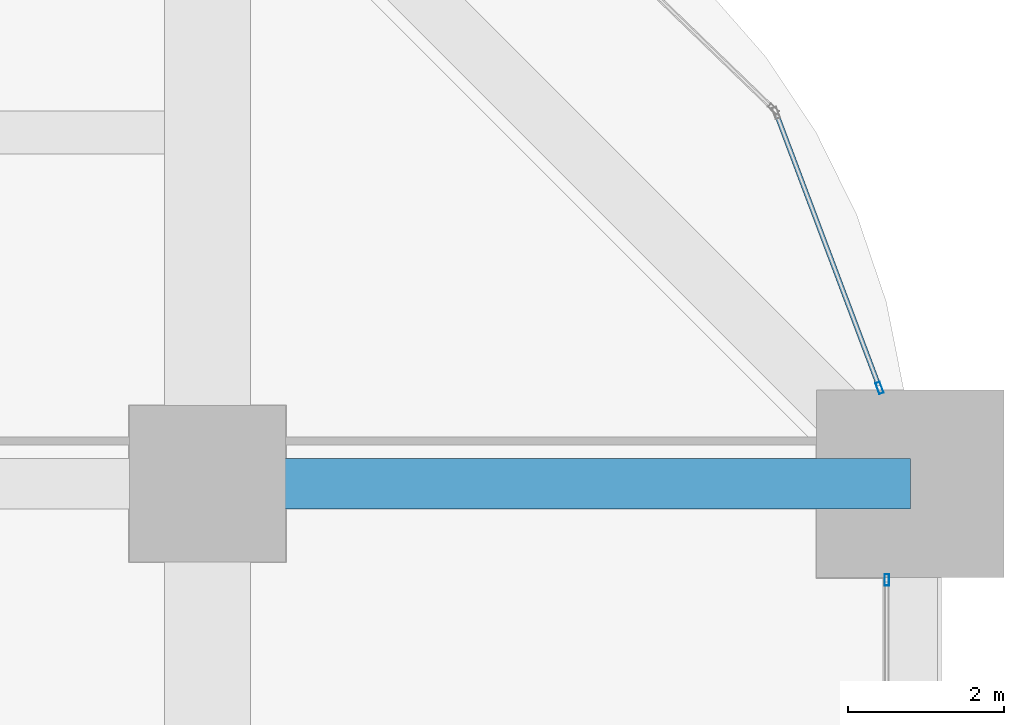
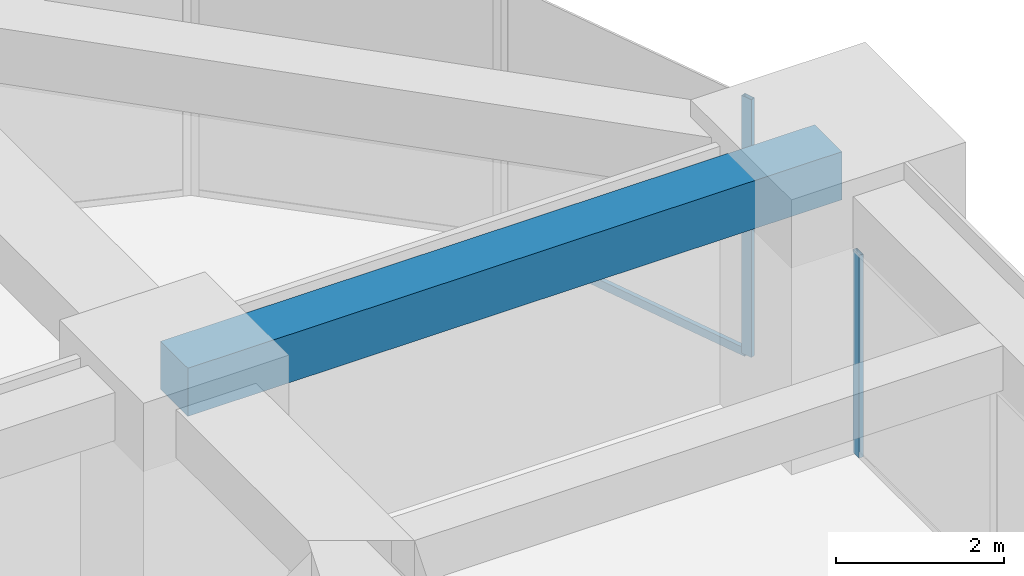
# One storey, part 32 of 39: 3 members, 1 beam, 2 elements without a shape of their own.
"""IFC4 building model written with IfcOpenShell, lengths in metres."""

from ifc_helpers import new_model, si_unit, direction, frame, origin, origin_2d, place, context, subcontext, project, spatial, rectangle, hollow_rectangle, extrude, material, material_profile, profile_set, type_object, element, aggregate, save


model = new_model("IFC4")

# Units and contexts
model_context = context("Model", 3, precision=1e-05, world=origin(), true_north=direction((0.0, 1.0)))
body_context = subcontext(model_context, "Body", "Model", "MODEL_VIEW")
ifc_project = project(units=[si_unit("LENGTHUNIT", "METRE"), si_unit("AREAUNIT", "SQUARE_METRE"), si_unit("VOLUMEUNIT", "CUBIC_METRE"), si_unit("PLANEANGLEUNIT", "RADIAN"), si_unit("MASSUNIT", "GRAM", prefix="KILO")], contexts=[model_context])

# Site, building, storey
site_placement = place(None, origin())
site = spatial("IfcSite", under=ifc_project, at=site_placement, CompositionType="ELEMENT")
building_placement = place(site_placement, origin())
building = spatial("IfcBuilding", under=site, at=building_placement, Name="Zorevar Civic Tower", CompositionType="ELEMENT")
storey_placement = place(building_placement, frame((0.0, 0.0, 121.0)))
storey = spatial("IfcBuildingStorey", under=building, at=storey_placement, Name="L29", CompositionType="ELEMENT", Elevation=121.0)

# Beam
ifc_material_1 = material(Name="Concrete C50/60", Category="concrete")
ifc_material_profile_1 = material_profile(ifc_material_1, rectangle(XDim=0.64990234375, YDim=0.699951171875, at=origin_2d()), Name="RC 650x700")
ifc_profile_set_1 = profile_set([ifc_material_profile_1], Name="Concrete C50/60")
beam_type = type_object("IfcBeamType", Name="Beam RC 650x700", PredefinedType="BEAM", material=ifc_profile_set_1)
beam_placement = place(storey_placement, frame((54.0, 36.0, 3.39990234375), z_axis=(1.0, 0.0, 0.0), x_axis=(0.0, 1.0, 0.0)))
element("IfcBeam", 1, at=beam_placement, inside=storey, type_object=beam_type, Name="Girder L30", PredefinedType="BEAM", context=body_context, shape_type="SweptSolid", body=[
    extrude(rectangle(XDim=0.64990234375, YDim=0.699951171875, at=origin_2d()), origin(), (0.0, 0.0, 1.0), 9.0),
])

# Curtain wall, member
ifc_material_2 = material(Name="Dark grey solar-control glass in black aluminium frame", Category="aluminium")
curtain_wall_type = type_object("IfcCurtainWallType", Name="Curtain wall CW3 mid zone", PredefinedType="NOTDEFINED", material=ifc_material_2)
curtain_wall_1_placement = place(storey_placement, origin())
curtain_wall_1 = element("IfcCurtainWall", 2, at=curtain_wall_1_placement, inside=storey, type_object=curtain_wall_type, Name="CW3 L29", PredefinedType="NOTDEFINED")
ifc_material_3 = material(Name="Aluminium, black anodised", Category="aluminium")
ifc_material_profile_2 = material_profile(ifc_material_3, hollow_rectangle(XDim=0.06005859375, YDim=0.14990234375, WallThickness=0.00390625, at=origin_2d()), Name="AL 150x60x4")
ifc_profile_set_2 = profile_set([ifc_material_profile_2], Name="Aluminium, black anodised")
member_type_1 = type_object("IfcMemberType", Name="CW3 mullion AL 150x60x4", PredefinedType="MULLION", material=ifc_profile_set_2)
member_1_placement = place(storey_placement, frame((62.699951171875, 34.77001953125, 0.0), z_axis=(0.0, 0.0, 1.0), x_axis=(-1.0, 0.0, 0.0)))
member_1 = element("IfcMember", 3, at=member_1_placement, type_object=member_type_1, Name="CW3 mullion 3", PredefinedType="MULLION", context=body_context, shape_type="SweptSolid", body=[
    extrude(hollow_rectangle(XDim=0.06005859375, YDim=0.14990234375, WallThickness=0.00390625, at=origin_2d()), origin(), (0.0, 0.0, 1.0), 2.949951171875),
])
aggregate(curtain_wall_1, [member_1])

# Curtain wall, members
curtain_wall_2_placement = place(storey_placement, origin())
curtain_wall_2 = element("IfcCurtainWall", 4, at=curtain_wall_2_placement, inside=storey, type_object=curtain_wall_type, Name="CW3 L29", PredefinedType="NOTDEFINED")
member_2_placement = place(storey_placement, frame((62.606201171875, 37.22802734375, 0.0), z_axis=(0.0, 0.0, 1.0), x_axis=(-0.935950528564, -0.352131520999, 0.0)))
member_2 = element("IfcMember", 5, at=member_2_placement, type_object=member_type_1, Name="CW3 mullion 1", PredefinedType="MULLION", context=body_context, shape_type="SweptSolid", body=[
    extrude(hollow_rectangle(XDim=0.06005859375, YDim=0.14990234375, WallThickness=0.00390625, at=origin_2d()), origin(), (0.0, 0.0, 1.0), 3.75),
])
ifc_material_4 = material(Name="Aluminium, black anodised", Category="aluminium")
ifc_material_profile_3 = material_profile(ifc_material_4, hollow_rectangle(XDim=0.06005859375, YDim=0.1201171875, WallThickness=0.0029296875, at=origin_2d()), Name="AL 120x60x3")
ifc_profile_set_3 = profile_set([ifc_material_profile_3], Name="Aluminium, black anodised")
member_type_2 = type_object("IfcMemberType", Name="CW3 transom AL 120x60x3", PredefinedType="USERDEFINED", material=ifc_profile_set_3)
member_3_placement = place(storey_placement, frame((62.595703125, 37.256103515625, 0.030029296875), z_axis=(-0.352142207579, 0.935946507895, 0.0), x_axis=(-0.935946507895, -0.352142207579, 0.0)))
member_3 = element("IfcMember", 6, at=member_3_placement, type_object=member_type_2, Name="CW3 sill transom", ObjectType="TRANSOM", PredefinedType="USERDEFINED", context=body_context, shape_type="SweptSolid", body=[
    extrude(hollow_rectangle(XDim=0.06005859375, YDim=0.1201171875, WallThickness=0.0029296875, at=origin_2d()), origin(), (0.0, 0.0, 1.0), 3.7021484375),
])
aggregate(curtain_wall_2, [member_2, member_3])

save(model, "model.ifc")
